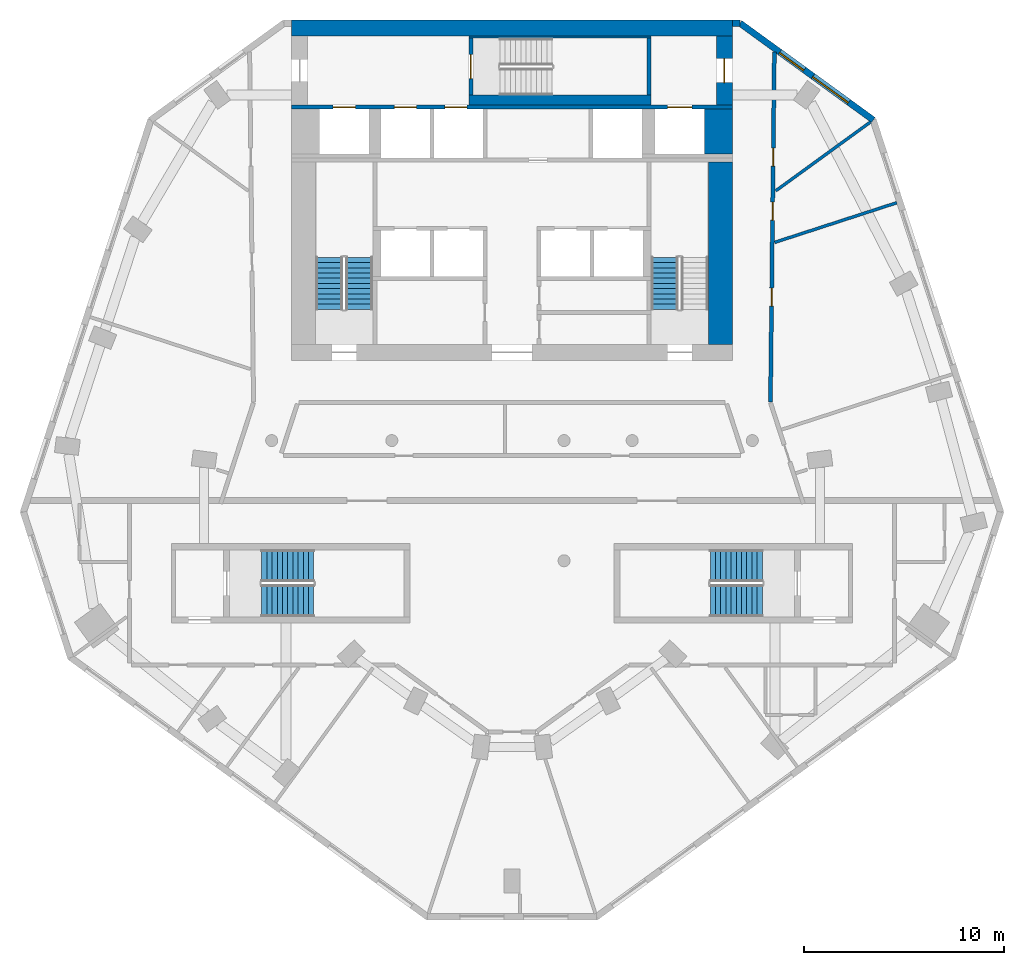
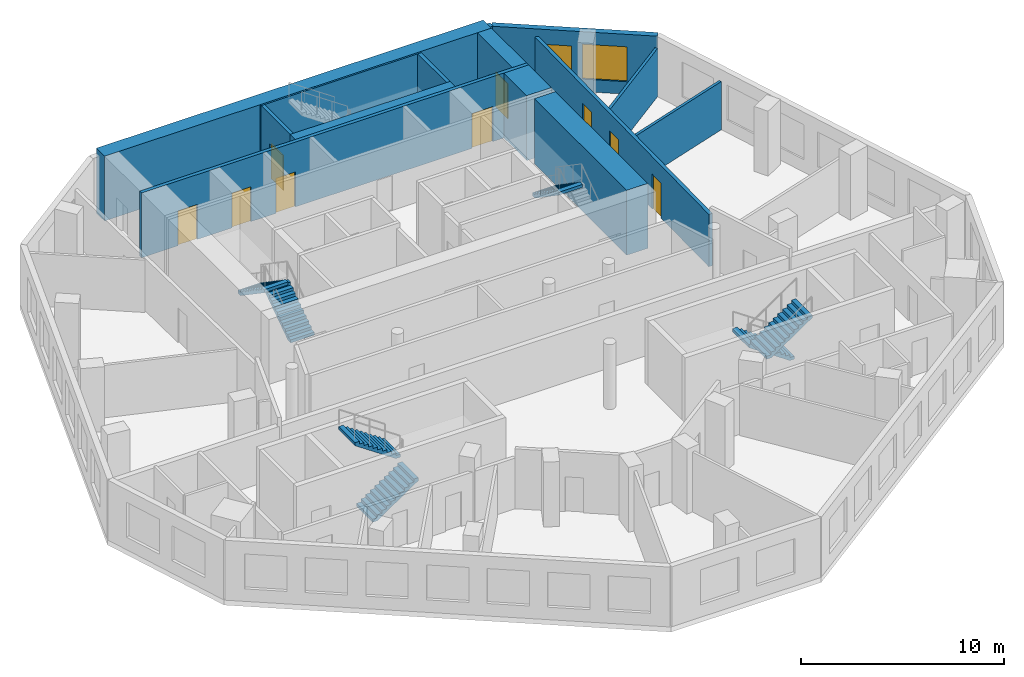
# One storey, part 6 of 9: 14 walls, 9 doors, 7 stair flights, 2 windows, 11 openings, 4 elements without a shape of their own.
"""IFC4 building model written with IfcOpenShell, lengths in metres."""

from ifc_helpers import new_model, si_unit, direction, frame, frame_2d, origin, place, context, subcontext, project, spatial, polyline, rectangle, outline, extrude, material, layer, layer_set, type_object, element, fill, aggregate, save


model = new_model("IFC4")

# Units and contexts
model_context = context("Model", 3, precision=1e-05, world=origin(), true_north=direction((0.0, 1.0)))
body_context = subcontext(model_context, "Body", "Model", "MODEL_VIEW")
ifc_project = project(units=[si_unit("LENGTHUNIT", "METRE"), si_unit("AREAUNIT", "SQUARE_METRE"), si_unit("VOLUMEUNIT", "CUBIC_METRE"), si_unit("PLANEANGLEUNIT", "RADIAN"), si_unit("MASSUNIT", "GRAM", prefix="KILO")], contexts=[model_context])

# Site, building, storey
site_placement = place(None, origin())
site = spatial("IfcSite", under=ifc_project, at=site_placement, CompositionType="ELEMENT")
building_placement = place(site_placement, origin())
building = spatial("IfcBuilding", under=site, at=building_placement, Name="White Candle Pilgrim Tower", CompositionType="ELEMENT")
storey_placement = place(building_placement, frame((0.0, 0.0, 223.800048828125)))
storey = spatial("IfcBuildingStorey", under=building, at=storey_placement, Name="L52", CompositionType="ELEMENT", Elevation=223.800048828125)

# Wall
ifc_material_1 = material(Name="Concrete C50/60", Category="concrete")
ifc_layer_1 = layer(ifc_material_1, 1.39990234375)
ifc_layer_set_1 = layer_set([ifc_layer_1], Name="Core wall 1400 mm Concrete C50/60")
wall_type_1 = type_object("IfcWallType", Name="Core wall 1400 mm Concrete C50/60", PredefinedType="SHEAR", material=ifc_layer_set_1)
wall_1_placement = place(storey_placement, frame((80.300048828125, 81.300048828125, 0.0), z_axis=(0.0, 0.0, 1.0), x_axis=(0.0, 1.0, 0.0)))
element("IfcWall", 1, at=wall_1_placement, inside=storey, type_object=wall_type_1, Name="WL-L52-C42", PredefinedType="SHEAR", context=body_context, shape_type="SweptSolid", body=[
    extrude(rectangle(XDim=2.25, YDim=1.39990234375, at=frame_2d((1.125, 0.0))), origin(), (0.0, 0.0, 1.0), 3.89990234375),
])

# Wall, openings, doors
ifc_layer_2 = layer(ifc_material_1, 0.199951171875)
ifc_layer_set_2 = layer_set([ifc_layer_2], Name="Core wall 200 mm Concrete C50/60")
wall_type_2 = type_object("IfcWallType", Name="Core wall 200 mm Concrete C50/60", PredefinedType="SHEAR", material=ifc_layer_set_2)
wall_2_placement = place(storey_placement, frame((59.0, 83.64990234375, 0.0), z_axis=(0.0, 0.0, 1.0), x_axis=(1.0, 0.0, 0.0)))
wall_2 = element("IfcWall", 2, at=wall_2_placement, inside=storey, type_object=wall_type_2, Name="WL-L52-C43", PredefinedType="SHEAR", context=body_context, shape_type="SweptSolid", body=[
    extrude(rectangle(XDim=22.0, YDim=0.199951171875, at=frame_2d((11.0, 0.0))), origin(), (0.0, 0.0, 1.0), 3.89990234375),
])
opening_1_placement = place(wall_2_placement, frame((5.125, 0.0, 0.0)))
opening_1 = element("IfcOpeningElement", 3, at=opening_1_placement, cuts=wall_2, Name="Opening T16-018", PredefinedType="OPENING", context=body_context, shape_type="SweptSolid", body=[
    extrude(rectangle(XDim=1.10009765625, YDim=2.10009765625, at=frame_2d((0.550048828125, 1.050048828125))), frame((0.0, 0.10986328125, 0.0), z_axis=(0.0, -1.0, 0.0), x_axis=(1.0, 0.0, 0.0)), (0.0, 0.0, 1.0), 0.219970703125),
])
opening_2_placement = place(wall_2_placement, frame((7.64990234375, 0.0, 0.0)))
opening_2 = element("IfcOpeningElement", 4, at=opening_2_placement, cuts=wall_2, Name="Opening T16-019", PredefinedType="OPENING", context=body_context, shape_type="SweptSolid", body=[
    extrude(rectangle(XDim=1.10009765625, YDim=2.10009765625, at=frame_2d((0.550048828125, 1.050048828125))), frame((0.0, 0.10986328125, 0.0), z_axis=(0.0, -1.0, 0.0), x_axis=(1.0, 0.0, 0.0)), (0.0, 0.0, 1.0), 0.219970703125),
])
opening_3_placement = place(wall_2_placement, frame((18.77490234375, 0.0, 0.0)))
opening_3 = element("IfcOpeningElement", 5, at=opening_3_placement, cuts=wall_2, Name="Opening T16-020", PredefinedType="OPENING", context=body_context, shape_type="SweptSolid", body=[
    extrude(rectangle(XDim=1.199951171875, YDim=2.10009765625, at=frame_2d((0.60009765625, 1.050048828125))), frame((0.0, 0.10986328125, 0.0), z_axis=(0.0, -1.0, 0.0), x_axis=(1.0, 0.0, 0.0)), (0.0, 0.0, 1.0), 0.219970703125),
])
opening_4_placement = place(wall_2_placement, frame((2.074951171875, 0.0, 0.0)))
opening_4 = element("IfcOpeningElement", 6, at=opening_4_placement, cuts=wall_2, Name="Opening T16-021", PredefinedType="OPENING", context=body_context, shape_type="SweptSolid", body=[
    extrude(rectangle(XDim=1.10009765625, YDim=2.10009765625, at=frame_2d((0.550048828125, 1.050048828125))), frame((0.0, 0.10986328125, 0.0), z_axis=(0.0, -1.0, 0.0), x_axis=(1.0, 0.0, 0.0)), (0.0, 0.0, 1.0), 0.219970703125),
])
ifc_material_2 = material(Name="Stainless steel", Category="steel")
door_type_1 = type_object("IfcDoorType", Name="Lift landing door 1100 x 2100 EI 60", OperationType="DOUBLE_DOOR_SLIDING", PredefinedType="DOOR", material=ifc_material_2)
door_1_placement = place(opening_1_placement, origin())
door_1 = element("IfcDoor", 7, at=door_1_placement, inside=storey, type_object=door_type_1, Name="Door T16-018", OperationType="DOUBLE_DOOR_SLIDING", OverallHeight=2.10009765625, OverallWidth=1.10009765625, PredefinedType="DOOR", context=body_context, shape_type="SweptSolid", body=[
    extrude(rectangle(XDim=1.10009765625, YDim=2.10009765625, at=frame_2d((0.550048828125, 1.050048828125))), frame((0.0, 0.02490234375, 0.0), z_axis=(0.0, -1.0, 0.0), x_axis=(1.0, 0.0, 0.0)), (0.0, 0.0, 1.0), 0.050048828125),
])
fill(opening_1, door_1)
door_2_placement = place(opening_2_placement, origin())
door_2 = element("IfcDoor", 8, at=door_2_placement, inside=storey, type_object=door_type_1, Name="Door T16-019", OperationType="DOUBLE_DOOR_SLIDING", OverallHeight=2.10009765625, OverallWidth=1.10009765625, PredefinedType="DOOR", context=body_context, shape_type="SweptSolid", body=[
    extrude(rectangle(XDim=1.10009765625, YDim=2.10009765625, at=frame_2d((0.550048828125, 1.050048828125))), frame((0.0, 0.02490234375, 0.0), z_axis=(0.0, -1.0, 0.0), x_axis=(1.0, 0.0, 0.0)), (0.0, 0.0, 1.0), 0.050048828125),
])
fill(opening_2, door_2)
door_3_placement = place(opening_4_placement, origin())
door_3 = element("IfcDoor", 9, at=door_3_placement, inside=storey, type_object=door_type_1, Name="Door T16-021", OperationType="DOUBLE_DOOR_SLIDING", OverallHeight=2.10009765625, OverallWidth=1.10009765625, PredefinedType="DOOR", context=body_context, shape_type="SweptSolid", body=[
    extrude(rectangle(XDim=1.10009765625, YDim=2.10009765625, at=frame_2d((0.550048828125, 1.050048828125))), frame((0.0, 0.02490234375, 0.0), z_axis=(0.0, -1.0, 0.0), x_axis=(1.0, 0.0, 0.0)), (0.0, 0.0, 1.0), 0.050048828125),
])
fill(opening_4, door_3)
door_type_2 = type_object("IfcDoorType", Name="Lift landing door 1200 x 2100 E 60", OperationType="DOUBLE_DOOR_SLIDING", PredefinedType="DOOR", material=ifc_material_2)
door_4_placement = place(opening_3_placement, origin())
door_4 = element("IfcDoor", 10, at=door_4_placement, inside=storey, type_object=door_type_2, Name="Door T16-020", OperationType="DOUBLE_DOOR_SLIDING", OverallHeight=2.10009765625, OverallWidth=1.199951171875, PredefinedType="DOOR", context=body_context, shape_type="SweptSolid", body=[
    extrude(rectangle(XDim=1.199951171875, YDim=2.10009765625, at=frame_2d((0.60009765625, 1.050048828125))), frame((0.0, 0.02490234375, 0.0), z_axis=(0.0, -1.0, 0.0), x_axis=(1.0, 0.0, 0.0)), (0.0, 0.0, 1.0), 0.050048828125),
])
fill(opening_3, door_4)

# Wall, opening, door
ifc_layer_3 = layer(ifc_material_1, 0.800048828125)
ifc_layer_set_3 = layer_set([ifc_layer_3], Name="Core wall 800 mm Concrete C50/60")
wall_type_3 = type_object("IfcWallType", Name="Core wall 800 mm Concrete C50/60", PredefinedType="SHEAR", material=ifc_layer_set_3)
wall_3_placement = place(storey_placement, frame((80.60009765625, 83.75, 0.0), z_axis=(0.0, 0.0, 1.0), x_axis=(0.0, 1.0, 0.0)))
wall_3 = element("IfcWall", 11, at=wall_3_placement, inside=storey, type_object=wall_type_3, Name="WL-L52-C46", PredefinedType="SHEAR", context=body_context, shape_type="SweptSolid", body=[
    extrude(rectangle(XDim=3.449951171875, YDim=0.800048828125, at=frame_2d((1.72509765625, 0.0))), origin(), (0.0, 0.0, 1.0), 3.89990234375),
])
opening_5_placement = place(wall_3_placement, frame((1.125, 0.0, 0.0)))
opening_5 = element("IfcOpeningElement", 12, at=opening_5_placement, cuts=wall_3, Name="Opening T16-009", PredefinedType="OPENING", context=body_context, shape_type="SweptSolid", body=[
    extrude(rectangle(XDim=1.199951171875, YDim=2.10009765625, at=frame_2d((0.60009765625, 1.050048828125))), frame((0.0, 0.409912109375, 0.0), z_axis=(0.0, -1.0, 0.0), x_axis=(1.0, 0.0, 0.0)), (0.0, 0.0, 1.0), 0.820068359375),
])
ifc_material_3 = material(Name="Steel door leaf", Category="steel")
door_type_3 = type_object("IfcDoorType", Name="Fire door 1200 x 2100 EI 30", OperationType="NOTDEFINED", PredefinedType="DOOR", material=ifc_material_3)
door_5_placement = place(opening_5_placement, origin())
door_5 = element("IfcDoor", 13, at=door_5_placement, inside=storey, type_object=door_type_3, Name="Door T16-009", OperationType="SINGLE_SWING_LEFT", OverallHeight=2.10009765625, OverallWidth=1.199951171875, PredefinedType="DOOR", context=body_context, shape_type="SweptSolid", body=[
    extrude(rectangle(XDim=1.199951171875, YDim=2.10009765625, at=frame_2d((0.60009765625, 1.050048828125))), frame((0.0, 0.02490234375, 0.0), z_axis=(0.0, -1.0, 0.0), x_axis=(1.0, 0.0, 0.0)), (0.0, 0.0, 1.0), 0.050048828125),
])
fill(opening_5, door_5)

# Wall
wall_4_placement = place(storey_placement, frame((59.0, 87.60009765625, 0.0), z_axis=(0.0, 0.0, 1.0), x_axis=(1.0, 0.0, 0.0)))
element("IfcWall", 14, at=wall_4_placement, inside=storey, type_object=wall_type_3, Name="WL-L52-C50", PredefinedType="SHEAR", context=body_context, shape_type="SweptSolid", body=[
    extrude(rectangle(XDim=22.0, YDim=0.800048828125, at=frame_2d((11.0, 0.0))), origin(), (0.0, 0.0, 1.0), 3.89990234375),
])

# Wall, openings, doors
ifc_material_4 = material(Name="Gypsum board on steel studs", Category="steel")
ifc_layer_4 = layer(ifc_material_4, 0.199951171875)
ifc_layer_set_4 = layer_set([ifc_layer_4], Name="Corridor wall 200 mm EI 45")
wall_type_4 = type_object("IfcWallType", Name="Corridor wall 200 mm EI 45", PredefinedType="PARTITIONING", material=ifc_layer_set_4)
wall_5_placement = place(storey_placement, frame((83.10009765625, 86.396240234375, 0.0), z_axis=(0.0, 0.0, 1.0), x_axis=(-0.011158990621, -0.999937736526, 0.0)))
wall_5 = element("IfcWall", 15, at=wall_5_placement, inside=storey, type_object=wall_type_4, Name="WL-L52-P004", PredefinedType="PARTITIONING", context=body_context, shape_type="SweptSolid", body=[
    extrude(rectangle(XDim=17.480712890625, YDim=0.199951171875, at=frame_2d((8.740234375, 0.0))), origin(), (0.0, 0.0, 1.0), 3.14990234375),
])
opening_6_placement = place(wall_5_placement, frame((4.794189453125, 0.0, 0.0)))
opening_6 = element("IfcOpeningElement", 16, at=opening_6_placement, cuts=wall_5, Name="Opening T16-120", PredefinedType="OPENING", context=body_context, shape_type="SweptSolid", body=[
    extrude(rectangle(XDim=0.89990234375, YDim=2.10009765625, at=frame_2d((0.449951171875, 1.050048828125))), frame((0.0, 0.10986328125, 0.0), z_axis=(0.0, -1.0, 0.0), x_axis=(1.0, 0.0, 0.0)), (0.0, 0.0, 1.0), 0.219970703125),
])
opening_7_placement = place(wall_5_placement, frame((7.4951171875, 0.0, 0.0)))
opening_7 = element("IfcOpeningElement", 17, at=opening_7_placement, cuts=wall_5, Name="Opening T16-121", PredefinedType="OPENING", context=body_context, shape_type="SweptSolid", body=[
    extrude(rectangle(XDim=0.89990234375, YDim=2.10009765625, at=frame_2d((0.449951171875, 1.050048828125))), frame((0.0, 0.10986328125, 0.0), z_axis=(0.0, -1.0, 0.0), x_axis=(1.0, 0.0, 0.0)), (0.0, 0.0, 1.0), 0.219970703125),
])
opening_8_placement = place(wall_5_placement, frame((11.78662109375, 0.0, 0.0)))
opening_8 = element("IfcOpeningElement", 18, at=opening_8_placement, cuts=wall_5, Name="Opening T16-122", PredefinedType="OPENING", context=body_context, shape_type="SweptSolid", body=[
    extrude(rectangle(XDim=0.89990234375, YDim=2.10009765625, at=frame_2d((0.449951171875, 1.050048828125))), frame((0.0, 0.10986328125, 0.0), z_axis=(0.0, -1.0, 0.0), x_axis=(1.0, 0.0, 0.0)), (0.0, 0.0, 1.0), 0.219970703125),
])
door_type_4 = type_object("IfcDoorType", Name="Fire door 900 x 2100 EI 30", OperationType="NOTDEFINED", PredefinedType="DOOR", material=ifc_material_3)
door_6_placement = place(opening_6_placement, origin())
door_6 = element("IfcDoor", 19, at=door_6_placement, inside=storey, type_object=door_type_4, Name="Door T16-120", OperationType="SINGLE_SWING_RIGHT", OverallHeight=2.10009765625, OverallWidth=0.89990234375, PredefinedType="DOOR", context=body_context, shape_type="SweptSolid", body=[
    extrude(rectangle(XDim=0.89990234375, YDim=2.10009765625, at=frame_2d((0.449951171875, 1.050048828125))), frame((0.0, 0.02490234375, 0.0), z_axis=(0.0, -1.0, 0.0), x_axis=(1.0, 0.0, 0.0)), (0.0, 0.0, 1.0), 0.050048828125),
])
fill(opening_6, door_6)
door_7_placement = place(opening_7_placement, origin())
door_7 = element("IfcDoor", 20, at=door_7_placement, inside=storey, type_object=door_type_4, Name="Door T16-121", OperationType="SINGLE_SWING_LEFT", OverallHeight=2.10009765625, OverallWidth=0.89990234375, PredefinedType="DOOR", context=body_context, shape_type="SweptSolid", body=[
    extrude(rectangle(XDim=0.89990234375, YDim=2.10009765625, at=frame_2d((0.449951171875, 1.050048828125))), frame((0.0, 0.02490234375, 0.0), z_axis=(0.0, -1.0, 0.0), x_axis=(1.0, 0.0, 0.0)), (0.0, 0.0, 1.0), 0.050048828125),
])
fill(opening_7, door_7)
door_8_placement = place(opening_8_placement, origin())
door_8 = element("IfcDoor", 21, at=door_8_placement, inside=storey, type_object=door_type_4, Name="Door T16-122", OperationType="SINGLE_SWING_RIGHT", OverallHeight=2.10009765625, OverallWidth=0.89990234375, PredefinedType="DOOR", context=body_context, shape_type="SweptSolid", body=[
    extrude(rectangle(XDim=0.89990234375, YDim=2.10009765625, at=frame_2d((0.449951171875, 1.050048828125))), frame((0.0, 0.02490234375, 0.0), z_axis=(0.0, -1.0, 0.0), x_axis=(1.0, 0.0, 0.0)), (0.0, 0.0, 1.0), 0.050048828125),
])
fill(opening_8, door_8)

# Wall, openings, windows
ifc_material_5 = material(Name="Precast concrete C40/50", Category="concrete")
ifc_layer_5 = layer(ifc_material_5, 0.320068359375)
ifc_layer_set_5 = layer_set([ifc_layer_5], Name="Facade wall EW1 precast concrete C40/50 pier wall with timber-lined reveals")
wall_type_5 = type_object("IfcWallType", Name="Facade wall EW1 precast concrete C40/50 pier wall with timber-lined reveals", PredefinedType="SOLIDWALL", material=ifc_layer_set_5)
wall_6_placement = place(storey_placement, frame((88.03662109375, 83.00732421875, 0.0), z_axis=(0.0, 0.0, 1.0), x_axis=(-0.809012068833, 0.587792031659, 0.0)))
wall_6 = element("IfcWall", 22, at=wall_6_placement, inside=storey, type_object=wall_type_5, Name="Facade wall L52 NE chamfer", PredefinedType="SOLIDWALL", context=body_context, shape_type="SweptSolid", body=[
    extrude(rectangle(XDim=8.221923828125, YDim=0.320068359375, at=frame_2d((4.11083984375, 0.0))), origin(), (0.0, 0.0, 1.0), 3.599853515625),
])
opening_9_placement = place(wall_6_placement, frame((1.510986328125, 0.0, 0.75)))
opening_9 = element("IfcOpeningElement", 23, at=opening_9_placement, cuts=wall_6, Name="Opening W4", PredefinedType="OPENING", context=body_context, shape_type="SweptSolid", body=[
    extrude(rectangle(XDim=2.199951171875, YDim=2.10009765625, at=frame_2d((1.10009765625, 1.050048828125))), frame((0.0, 0.169921875, 0.0), z_axis=(0.0, -1.0, 0.0), x_axis=(1.0, 0.0, 0.0)), (0.0, 0.0, 1.0), 0.340087890625),
])
opening_10_placement = place(wall_6_placement, frame((4.262939453125, 0.0, 0.89990234375)))
opening_10 = element("IfcOpeningElement", 24, at=opening_10_placement, cuts=wall_6, Name="Opening W1", PredefinedType="OPENING", context=body_context, shape_type="SweptSolid", body=[
    extrude(rectangle(XDim=1.5, YDim=1.800048828125, at=frame_2d((0.75, 0.89990234375))), frame((0.0, 0.169921875, 0.0), z_axis=(0.0, -1.0, 0.0), x_axis=(1.0, 0.0, 0.0)), (0.0, 0.0, 1.0), 0.340087890625),
])
ifc_material_6 = material(Name="Timber frame with triple glazing", Category="wood")
window_type_1 = type_object("IfcWindowType", Name="Window W1 1500x1800 timber frame triple glazing", PartitioningType="SINGLE_PANEL", PredefinedType="WINDOW", material=ifc_material_6)
window_1_placement = place(opening_10_placement, origin())
window_1 = element("IfcWindow", 25, at=window_1_placement, inside=storey, type_object=window_type_1, Name="Window W1 L52 NE chamfer 2", OverallHeight=1.800048828125, OverallWidth=1.5, PartitioningType="SINGLE_PANEL", PredefinedType="WINDOW", context=body_context, shape_type="SweptSolid", body=[
    extrude(rectangle(XDim=1.5, YDim=1.800048828125, at=frame_2d((0.75, 0.89990234375))), frame((0.0, 0.070068359375, 0.0), z_axis=(0.0, -1.0, 0.0), x_axis=(1.0, 0.0, 0.0)), (0.0, 0.0, 1.0), 0.06005859375),
])
fill(opening_10, window_1)
window_type_2 = type_object("IfcWindowType", Name="Window W4 2200x2100 timber frame triple glazing", PartitioningType="SINGLE_PANEL", PredefinedType="WINDOW", material=ifc_material_6)
window_2_placement = place(opening_9_placement, origin())
window_2 = element("IfcWindow", 26, at=window_2_placement, inside=storey, type_object=window_type_2, Name="Window W4 L52 NE chamfer 1", OverallHeight=2.10009765625, OverallWidth=2.199951171875, PartitioningType="SINGLE_PANEL", PredefinedType="WINDOW", context=body_context, shape_type="SweptSolid", body=[
    extrude(rectangle(XDim=2.199951171875, YDim=2.10009765625, at=frame_2d((1.10009765625, 1.050048828125))), frame((0.0, 0.070068359375, 0.0), z_axis=(0.0, -1.0, 0.0), x_axis=(1.0, 0.0, 0.0)), (0.0, 0.0, 1.0), 0.06005859375),
])
fill(opening_9, window_2)

# Walls
wall_7_placement = place(storey_placement, frame((81.385009765625, 87.840087890625, 0.0), z_axis=(0.0, 0.0, 1.0), x_axis=(-1.0, 0.0, 0.0)))
element("IfcWall", 27, at=wall_7_placement, inside=storey, type_object=wall_type_5, Name="Facade wall L52 N", PredefinedType="SOLIDWALL", context=body_context, shape_type="SweptSolid", body=[
    extrude(rectangle(XDim=0.385009765625, YDim=0.320068359375, at=frame_2d((0.1923828125, 0.0))), origin(), (0.0, 0.0, 1.0), 3.599853515625),
])
ifc_layer_6 = layer(ifc_material_4, 0.14990234375)
ifc_layer_set_6 = layer_set([ifc_layer_6], Name="Partition 150 mm EI 60")
wall_type_6 = type_object("IfcWallType", Name="Partition 150 mm EI 60", PredefinedType="PARTITIONING", material=ifc_layer_set_6)
wall_8_placement = place(storey_placement, frame((87.900390625, 82.908447265625, 0.0), z_axis=(0.0, 0.0, 1.0), x_axis=(-0.80901210161, -0.587791986546, 0.0)))
element("IfcWall", 28, at=wall_8_placement, inside=storey, type_object=wall_type_6, Name="WL-L52-P022", PredefinedType="PARTITIONING", context=body_context, shape_type="SweptSolid", body=[
    extrude(rectangle(XDim=5.850341796875, YDim=0.14990234375, at=frame_2d((2.92529296875, 0.0))), origin(), (0.0, 0.0, 1.0), 2.89990234375),
])
wall_9_placement = place(storey_placement, frame((89.21044921875, 78.87646484375, 0.0), z_axis=(0.0, 0.0, 1.0), x_axis=(-0.951060671831, -0.309004204657, 0.0)))
element("IfcWall", 29, at=wall_9_placement, inside=storey, type_object=wall_type_6, Name="WL-L52-P037", PredefinedType="PARTITIONING", context=body_context, shape_type="SweptSolid", body=[
    extrude(rectangle(XDim=6.406005859375, YDim=0.14990234375, at=frame_2d((3.203125, 0.0))), origin(), (0.0, 0.0, 1.0), 2.89990234375),
])
ifc_layer_7 = layer(ifc_material_1, 0.10009765625)
ifc_layer_set_7 = layer_set([ifc_layer_7], Name="Stair shaft wall 100 mm Concrete C50/60")
wall_type_7 = type_object("IfcWallType", Name="Stair shaft wall 100 mm Concrete C50/60", PredefinedType="SHEAR", material=ifc_layer_set_7)
wall_10_placement = place(storey_placement, frame((67.85009765625, 87.14990234375, 0.0), z_axis=(0.0, 0.0, 1.0), x_axis=(1.0, 0.0, 0.0)))
element("IfcWall", 30, at=wall_10_placement, inside=storey, type_object=wall_type_7, Name="WL-L52-C49", PredefinedType="SHEAR", context=body_context, shape_type="SweptSolid", body=[
    extrude(rectangle(XDim=9.099853515625, YDim=0.10009765625, at=frame_2d((4.5498046875, 0.0))), origin(), (0.0, 0.0, 1.0), 3.89990234375),
])
ifc_layer_8 = layer(ifc_material_1, 1.199951171875)
ifc_layer_set_8 = layer_set([ifc_layer_8], Name="Stair shaft wall 1200 mm Concrete C50/60")
wall_type_8 = type_object("IfcWallType", Name="Stair shaft wall 1200 mm Concrete C50/60", PredefinedType="SHEAR", material=ifc_layer_set_8)
wall_11_placement = place(storey_placement, frame((80.39990234375, 71.800048828125, 0.0), z_axis=(0.0, 0.0, 1.0), x_axis=(0.0, 1.0, 0.0)))
element("IfcWall", 31, at=wall_11_placement, inside=storey, type_object=wall_type_8, Name="WL-L52-C17", PredefinedType="SHEAR", context=body_context, shape_type="SweptSolid", body=[
    extrude(rectangle(XDim=9.099853515625, YDim=1.199951171875, at=frame_2d((4.5498046875, 0.0))), origin(), (0.0, 0.0, 1.0), 3.89990234375),
])

# Wall, opening, door
ifc_layer_9 = layer(ifc_material_1, 0.199951171875)
ifc_layer_set_9 = layer_set([ifc_layer_9], Name="Stair shaft wall 200 mm Concrete C50/60")
wall_type_9 = type_object("IfcWallType", Name="Stair shaft wall 200 mm Concrete C50/60", PredefinedType="SHEAR", material=ifc_layer_set_9)
wall_12_placement = place(storey_placement, frame((67.949951171875, 84.25, 0.0), z_axis=(0.0, 0.0, 1.0), x_axis=(0.0, 1.0, 0.0)))
wall_12 = element("IfcWall", 32, at=wall_12_placement, inside=storey, type_object=wall_type_9, Name="WL-L52-C47", PredefinedType="SHEAR", context=body_context, shape_type="SweptSolid", body=[
    extrude(rectangle(XDim=2.85009765625, YDim=0.199951171875, at=frame_2d((1.425048828125, 0.0))), origin(), (0.0, 0.0, 1.0), 3.89990234375),
])
opening_11_placement = place(wall_12_placement, frame((0.824951171875, 0.0, 0.0)))
opening_11 = element("IfcOpeningElement", 33, at=opening_11_placement, cuts=wall_12, Name="Opening T16-003", PredefinedType="OPENING", context=body_context, shape_type="SweptSolid", body=[
    extrude(rectangle(XDim=1.199951171875, YDim=2.10009765625, at=frame_2d((0.60009765625, 1.050048828125))), frame((0.0, 0.10986328125, 0.0), z_axis=(0.0, -1.0, 0.0), x_axis=(1.0, 0.0, 0.0)), (0.0, 0.0, 1.0), 0.219970703125),
])
door_type_5 = type_object("IfcDoorType", Name="Fire door 1200 x 2100 EI 60", OperationType="NOTDEFINED", PredefinedType="DOOR", material=ifc_material_3)
door_9_placement = place(opening_11_placement, frame((1.199951171875, 0.0, 0.0), z_axis=(0.0, 0.0, 1.0), x_axis=(-1.0, 0.0, 0.0)))
door_9 = element("IfcDoor", 34, at=door_9_placement, inside=storey, type_object=door_type_5, Name="Door T16-003", OperationType="SINGLE_SWING_RIGHT", OverallHeight=2.10009765625, OverallWidth=1.199951171875, PredefinedType="DOOR", context=body_context, shape_type="SweptSolid", body=[
    extrude(rectangle(XDim=1.199951171875, YDim=2.10009765625, at=frame_2d((0.60009765625, 1.050048828125))), frame((0.0, 0.02490234375, 0.0), z_axis=(0.0, -1.0, 0.0), x_axis=(1.0, 0.0, 0.0)), (0.0, 0.0, 1.0), 0.050048828125),
])
fill(opening_11, door_9)

# Walls
wall_13_placement = place(storey_placement, frame((76.85009765625, 84.25, 0.0), z_axis=(0.0, 0.0, 1.0), x_axis=(0.0, 1.0, 0.0)))
element("IfcWall", 35, at=wall_13_placement, inside=storey, type_object=wall_type_9, Name="WL-L52-C48", PredefinedType="SHEAR", context=body_context, shape_type="SweptSolid", body=[
    extrude(rectangle(XDim=2.85009765625, YDim=0.199951171875, at=frame_2d((1.425048828125, 0.0))), origin(), (0.0, 0.0, 1.0), 3.89990234375),
])
ifc_layer_10 = layer(ifc_material_1, 0.5)
ifc_layer_set_10 = layer_set([ifc_layer_10], Name="Stair shaft wall 500 mm Concrete C50/60")
wall_type_10 = type_object("IfcWallType", Name="Stair shaft wall 500 mm Concrete C50/60", PredefinedType="SHEAR", material=ifc_layer_set_10)
wall_14_placement = place(storey_placement, frame((67.85009765625, 84.0, 0.0), z_axis=(0.0, 0.0, 1.0), x_axis=(1.0, 0.0, 0.0)))
element("IfcWall", 36, at=wall_14_placement, inside=storey, type_object=wall_type_10, Name="WL-L52-C45", PredefinedType="SHEAR", context=body_context, shape_type="SweptSolid", body=[
    extrude(rectangle(XDim=9.099853515625, YDim=0.5, at=frame_2d((4.5498046875, 0.0))), origin(), (0.0, 0.0, 1.0), 3.89990234375),
])

# Stair, stair flights
ifc_material_7 = material(Name="Concrete C40/50", Category="concrete")
stair_type_1 = type_object("IfcStairType", Name="Exit stair 1 flight width 1350 mm", PredefinedType="HALF_TURN_STAIR", material=ifc_material_7)
stair_1_placement = place(storey_placement, origin())
stair_1 = element("IfcStair", 37, at=stair_1_placement, inside=storey, type_object=stair_type_1, Name="L52 stair 1", PredefinedType="NOTDEFINED")
ifc_layer_11 = layer(ifc_material_7, 0.14990234375)
ifc_layer_set_11 = layer_set([ifc_layer_11], Name="Stair flight Concrete C40/50")
stair_flight_type = type_object("IfcStairFlightType", Name="Stair flight Concrete C40/50", PredefinedType="STRAIGHT", material=ifc_layer_set_11)
stair_flight_1_placement = place(storey_placement, frame((62.375, 73.550048828125, 0.0), z_axis=(0.0, 0.0, 1.0), x_axis=(0.0, 1.0, 0.0)))
stair_flight_1 = element("IfcStairFlight", 38, at=stair_flight_1_placement, type_object=stair_flight_type, Name="ST1 flight 1", NumberOfRisers=11, NumberOfTreads=10, PredefinedType="NOTDEFINED", RiserHeight=0.177272727, TreadLength=0.26, context=body_context, shape_type="SweptSolid", body=[
    extrude(outline(polyline([(0.0, 0.0), (0.0, 0.17724609375), (0.260009765625, 0.17724609375), (0.260009765625, 0.3544921875), (0.52001953125, 0.3544921875), (0.52001953125, 0.53173828125), (0.780029296875, 0.53173828125), (0.780029296875, 0.708984375), (1.0400390625, 0.708984375), (1.0400390625, 0.886474609375), (1.300048828125, 0.886474609375), (1.300048828125, 1.063720703125), (1.56005859375, 1.063720703125), (1.56005859375, 1.240966796875), (1.820068359375, 1.240966796875), (1.820068359375, 1.418212890625), (2.080078125, 1.418212890625), (2.080078125, 1.595458984375), (2.340087890625, 1.595458984375), (2.340087890625, 1.772705078125), (2.60009765625, 1.772705078125), (2.60009765625, 1.949951171875), (2.60009765625, 1.59130859375), (0.26611328125, 0.0), (0.0, 0.0)])), frame((0.0, 0.675048828125, 0.0), z_axis=(0.0, -1.0, 0.0), x_axis=(1.0, 0.0, 0.0)), (0.0, 0.0, 1.0), 1.35009765625),
])
stair_flight_2_placement = place(storey_placement, frame((60.875, 76.14990234375, 1.949951171875), z_axis=(0.0, 0.0, 1.0), x_axis=(0.0, -1.0, 0.0)))
stair_flight_2 = element("IfcStairFlight", 39, at=stair_flight_2_placement, type_object=stair_flight_type, Name="ST1 flight 2", NumberOfRisers=11, NumberOfTreads=10, PredefinedType="NOTDEFINED", RiserHeight=0.177272727, TreadLength=0.26, context=body_context, shape_type="SweptSolid", body=[
    extrude(outline(polyline([(0.0, 0.0), (0.0, 0.17724609375), (0.260009765625, 0.17724609375), (0.260009765625, 0.3544921875), (0.52001953125, 0.3544921875), (0.52001953125, 0.53173828125), (0.780029296875, 0.53173828125), (0.780029296875, 0.708984375), (1.0400390625, 0.708984375), (1.0400390625, 0.886474609375), (1.300048828125, 0.886474609375), (1.300048828125, 1.063720703125), (1.56005859375, 1.063720703125), (1.56005859375, 1.240966796875), (1.820068359375, 1.240966796875), (1.820068359375, 1.418212890625), (2.080078125, 1.418212890625), (2.080078125, 1.595458984375), (2.340087890625, 1.595458984375), (2.340087890625, 1.772705078125), (2.60009765625, 1.772705078125), (2.60009765625, 1.949951171875), (2.60009765625, 1.59130859375), (0.26611328125, 0.0), (0.0, 0.0)])), frame((0.0, 0.675048828125, 0.0), z_axis=(0.0, -1.0, 0.0), x_axis=(1.0, 0.0, 0.0)), (0.0, 0.0, 1.0), 1.35009765625),
])
aggregate(stair_1, [stair_flight_1, stair_flight_2])

# Stair, stair flight
stair_type_2 = type_object("IfcStairType", Name="Exit stair 2 flight width 1350 mm", PredefinedType="HALF_TURN_STAIR", material=ifc_material_7)
stair_2_placement = place(storey_placement, origin())
stair_2 = element("IfcStair", 40, at=stair_2_placement, inside=storey, type_object=stair_type_2, Name="L52 stair 2", PredefinedType="NOTDEFINED")
stair_flight_3_placement = place(storey_placement, frame((77.625, 76.14990234375, 1.949951171875), z_axis=(0.0, 0.0, 1.0), x_axis=(0.0, -1.0, 0.0)))
stair_flight_3 = element("IfcStairFlight", 41, at=stair_flight_3_placement, type_object=stair_flight_type, Name="ST2 flight 2", NumberOfRisers=11, NumberOfTreads=10, PredefinedType="NOTDEFINED", RiserHeight=0.177272727, TreadLength=0.26, context=body_context, shape_type="SweptSolid", body=[
    extrude(outline(polyline([(0.0, 0.0), (0.0, 0.17724609375), (0.260009765625, 0.17724609375), (0.260009765625, 0.3544921875), (0.52001953125, 0.3544921875), (0.52001953125, 0.53173828125), (0.780029296875, 0.53173828125), (0.780029296875, 0.708984375), (1.0400390625, 0.708984375), (1.0400390625, 0.886474609375), (1.300048828125, 0.886474609375), (1.300048828125, 1.063720703125), (1.56005859375, 1.063720703125), (1.56005859375, 1.240966796875), (1.820068359375, 1.240966796875), (1.820068359375, 1.418212890625), (2.080078125, 1.418212890625), (2.080078125, 1.595458984375), (2.340087890625, 1.595458984375), (2.340087890625, 1.772705078125), (2.60009765625, 1.772705078125), (2.60009765625, 1.949951171875), (2.60009765625, 1.59130859375), (0.26611328125, 0.0), (0.0, 0.0)])), frame((0.0, 0.675048828125, 0.0), z_axis=(0.0, -1.0, 0.0), x_axis=(1.0, 0.0, 0.0)), (0.0, 0.0, 1.0), 1.35009765625),
])
aggregate(stair_2, [stair_flight_3])

# Stair, stair flights
stair_type_3 = type_object("IfcStairType", Name="Exit stair 4 flight width 1600 mm", PredefinedType="HALF_TURN_STAIR", material=ifc_material_7)
stair_3_placement = place(storey_placement, origin())
stair_3 = element("IfcStair", 42, at=stair_3_placement, inside=storey, type_object=stair_type_3, Name="L52 stair 4", PredefinedType="NOTDEFINED")
stair_flight_4_placement = place(storey_placement, frame((82.5, 60.75, 0.0), z_axis=(0.0, 0.0, 1.0), x_axis=(-1.0, 0.0, 0.0)))
stair_flight_4 = element("IfcStairFlight", 43, at=stair_flight_4_placement, type_object=stair_flight_type, Name="ST4 flight 1", NumberOfRisers=11, NumberOfTreads=10, PredefinedType="NOTDEFINED", RiserHeight=0.177272727, TreadLength=0.26, context=body_context, shape_type="SweptSolid", body=[
    extrude(outline(polyline([(0.0, 0.0), (0.0, 0.17724609375), (0.260009765625, 0.17724609375), (0.260009765625, 0.3544921875), (0.52001953125, 0.3544921875), (0.52001953125, 0.53173828125), (0.780029296875, 0.53173828125), (0.780029296875, 0.708984375), (1.0400390625, 0.708984375), (1.0400390625, 0.886474609375), (1.300048828125, 0.886474609375), (1.300048828125, 1.063720703125), (1.56005859375, 1.063720703125), (1.56005859375, 1.240966796875), (1.820068359375, 1.240966796875), (1.820068359375, 1.418212890625), (2.080078125, 1.418212890625), (2.080078125, 1.595458984375), (2.340087890625, 1.595458984375), (2.340087890625, 1.772705078125), (2.60009765625, 1.772705078125), (2.60009765625, 1.949951171875), (2.60009765625, 1.59130859375), (0.26611328125, 0.0), (0.0, 0.0)])), frame((0.0, 0.800048828125, 0.0), z_axis=(0.0, -1.0, 0.0), x_axis=(1.0, 0.0, 0.0)), (0.0, 0.0, 1.0), 1.60009765625),
])
stair_flight_5_placement = place(storey_placement, frame((79.89990234375, 59.0, 1.949951171875), z_axis=(0.0, 0.0, 1.0), x_axis=(1.0, 0.0, 0.0)))
stair_flight_5 = element("IfcStairFlight", 44, at=stair_flight_5_placement, type_object=stair_flight_type, Name="ST4 flight 2", NumberOfRisers=11, NumberOfTreads=10, PredefinedType="NOTDEFINED", RiserHeight=0.177272727, TreadLength=0.26, context=body_context, shape_type="SweptSolid", body=[
    extrude(outline(polyline([(0.0, 0.0), (0.0, 0.17724609375), (0.260009765625, 0.17724609375), (0.260009765625, 0.3544921875), (0.52001953125, 0.3544921875), (0.52001953125, 0.53173828125), (0.780029296875, 0.53173828125), (0.780029296875, 0.708984375), (1.0400390625, 0.708984375), (1.0400390625, 0.886474609375), (1.300048828125, 0.886474609375), (1.300048828125, 1.063720703125), (1.56005859375, 1.063720703125), (1.56005859375, 1.240966796875), (1.820068359375, 1.240966796875), (1.820068359375, 1.418212890625), (2.080078125, 1.418212890625), (2.080078125, 1.595458984375), (2.340087890625, 1.595458984375), (2.340087890625, 1.772705078125), (2.60009765625, 1.772705078125), (2.60009765625, 1.949951171875), (2.60009765625, 1.59130859375), (0.26611328125, 0.0), (0.0, 0.0)])), frame((0.0, 0.800048828125, 0.0), z_axis=(0.0, -1.0, 0.0), x_axis=(1.0, 0.0, 0.0)), (0.0, 0.0, 1.0), 1.60009765625),
])
aggregate(stair_3, [stair_flight_4, stair_flight_5])

stair_type_4 = type_object("IfcStairType", Name="Exit stair 5 flight width 1600 mm", PredefinedType="HALF_TURN_STAIR", material=ifc_material_7)
stair_4_placement = place(storey_placement, origin())
stair_4 = element("IfcStair", 45, at=stair_4_placement, inside=storey, type_object=stair_type_4, Name="L52 stair 5", PredefinedType="NOTDEFINED")
stair_flight_6_placement = place(storey_placement, frame((57.5, 59.0, 0.0), z_axis=(0.0, 0.0, 1.0), x_axis=(1.0, 0.0, 0.0)))
stair_flight_6 = element("IfcStairFlight", 46, at=stair_flight_6_placement, type_object=stair_flight_type, Name="ST5 flight 1", NumberOfRisers=11, NumberOfTreads=10, PredefinedType="NOTDEFINED", RiserHeight=0.177272727, TreadLength=0.26, context=body_context, shape_type="SweptSolid", body=[
    extrude(outline(polyline([(0.0, 0.0), (0.0, 0.17724609375), (0.260009765625, 0.17724609375), (0.260009765625, 0.3544921875), (0.52001953125, 0.3544921875), (0.52001953125, 0.53173828125), (0.780029296875, 0.53173828125), (0.780029296875, 0.708984375), (1.0400390625, 0.708984375), (1.0400390625, 0.886474609375), (1.300048828125, 0.886474609375), (1.300048828125, 1.063720703125), (1.56005859375, 1.063720703125), (1.56005859375, 1.240966796875), (1.820068359375, 1.240966796875), (1.820068359375, 1.418212890625), (2.080078125, 1.418212890625), (2.080078125, 1.595458984375), (2.340087890625, 1.595458984375), (2.340087890625, 1.772705078125), (2.60009765625, 1.772705078125), (2.60009765625, 1.949951171875), (2.60009765625, 1.59130859375), (0.26611328125, 0.0), (0.0, 0.0)])), frame((0.0, 0.800048828125, 0.0), z_axis=(0.0, -1.0, 0.0), x_axis=(1.0, 0.0, 0.0)), (0.0, 0.0, 1.0), 1.60009765625),
])
stair_flight_7_placement = place(storey_placement, frame((60.10009765625, 60.75, 1.949951171875), z_axis=(0.0, 0.0, 1.0), x_axis=(-1.0, 0.0, 0.0)))
stair_flight_7 = element("IfcStairFlight", 47, at=stair_flight_7_placement, type_object=stair_flight_type, Name="ST5 flight 2", NumberOfRisers=11, NumberOfTreads=10, PredefinedType="NOTDEFINED", RiserHeight=0.177272727, TreadLength=0.26, context=body_context, shape_type="SweptSolid", body=[
    extrude(outline(polyline([(0.0, 0.0), (0.0, 0.17724609375), (0.260009765625, 0.17724609375), (0.260009765625, 0.3544921875), (0.52001953125, 0.3544921875), (0.52001953125, 0.53173828125), (0.780029296875, 0.53173828125), (0.780029296875, 0.708984375), (1.0400390625, 0.708984375), (1.0400390625, 0.886474609375), (1.300048828125, 0.886474609375), (1.300048828125, 1.063720703125), (1.56005859375, 1.063720703125), (1.56005859375, 1.240966796875), (1.820068359375, 1.240966796875), (1.820068359375, 1.418212890625), (2.080078125, 1.418212890625), (2.080078125, 1.595458984375), (2.340087890625, 1.595458984375), (2.340087890625, 1.772705078125), (2.60009765625, 1.772705078125), (2.60009765625, 1.949951171875), (2.60009765625, 1.59130859375), (0.26611328125, 0.0), (0.0, 0.0)])), frame((0.0, 0.800048828125, 0.0), z_axis=(0.0, -1.0, 0.0), x_axis=(1.0, 0.0, 0.0)), (0.0, 0.0, 1.0), 1.60009765625),
])
aggregate(stair_4, [stair_flight_6, stair_flight_7])

save(model, "model.ifc")
